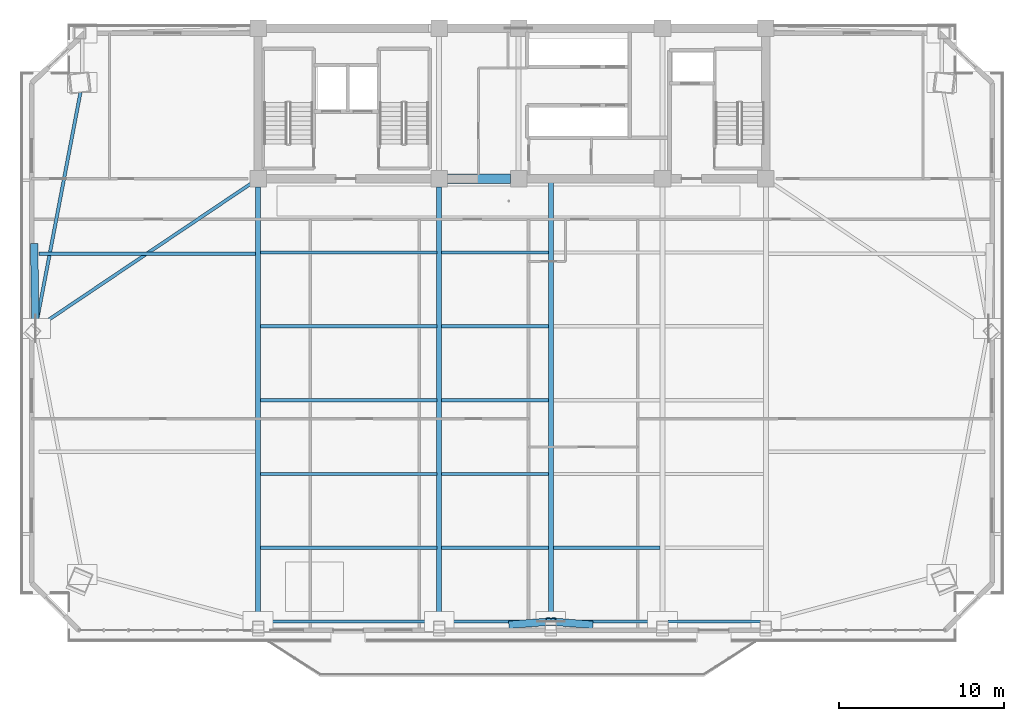
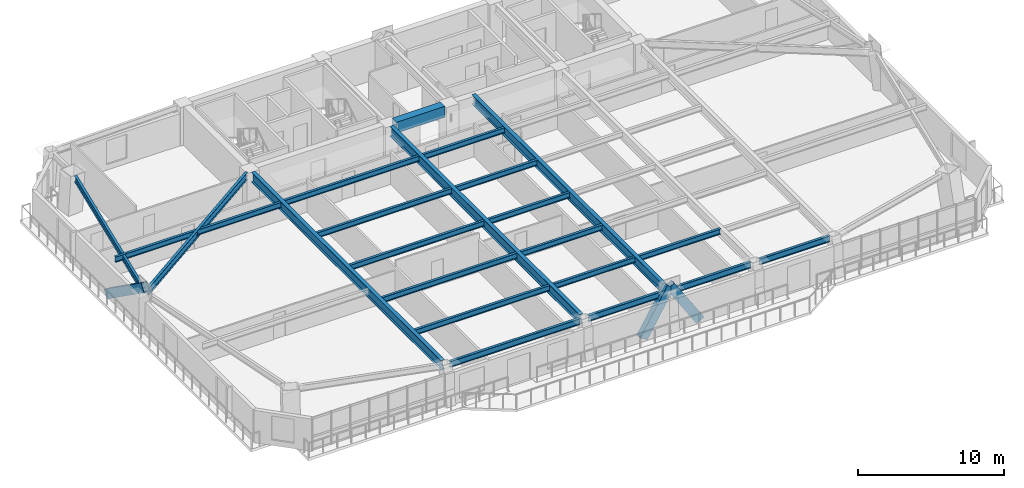
# One storey, part 3 of 15: 22 beams, 3 members.
"""IFC4 building model written with IfcOpenShell, lengths in metres."""

from ifc_helpers import new_model, si_unit, direction, frame, origin, origin_2d, place, context, subcontext, project, spatial, rectangle, hollow_rectangle, i_section, extrude, source, transform, mapped, material, material_profile, profile_set, type_object, element, save


model = new_model("IFC4")

# Units and contexts
model_context = context("Model", 3, precision=1e-05, world=origin(), true_north=direction((0.0, 1.0)))
body_context = subcontext(model_context, "Body", "Model", "MODEL_VIEW")
ifc_project = project(units=[si_unit("LENGTHUNIT", "METRE"), si_unit("AREAUNIT", "SQUARE_METRE"), si_unit("VOLUMEUNIT", "CUBIC_METRE"), si_unit("PLANEANGLEUNIT", "RADIAN"), si_unit("MASSUNIT", "GRAM", prefix="KILO")], contexts=[model_context])

# Site, building, storey
site_placement = place(None, origin())
site = spatial("IfcSite", under=ifc_project, at=site_placement, CompositionType="ELEMENT")
building_placement = place(site_placement, origin())
building = spatial("IfcBuilding", under=site, at=building_placement, Name="Giltprow Tower", CompositionType="ELEMENT")
storey_placement = place(building_placement, frame((0.0, 0.0, 187.699951171875)))
storey = spatial("IfcBuildingStorey", under=building, at=storey_placement, Name="L47", CompositionType="ELEMENT", Elevation=187.699951171875)

# Beams
ifc_material_1 = material(Name="Structural steel Q355B", Category="steel")
ifc_material_profile_1 = material_profile(ifc_material_1, i_section(OverallWidth=0.199951171875, OverallDepth=0.449951171875, WebThickness=0.009033203125, FlangeThickness=0.013916015625, at=origin_2d()), Name="HN 450x200x9x14")
ifc_profile_set_1 = profile_set([ifc_material_profile_1], Name="Structural steel Q355B")
beam_type_1 = type_object("IfcBeamType", Name="BM-JOIST-HN450", PredefinedType="JOIST", material=ifc_profile_set_1)
shared_shape_1 = source(origin(), body_context, "Body", "SweptSolid", [
    extrude(i_section(OverallWidth=0.199951171875, OverallDepth=0.449951171875, WebThickness=0.009033203125, FlangeThickness=0.013916015625, at=origin_2d()), origin(), (0.0, 0.0, 1.0), 10.659912109375),
])
for number, where, z_axis, x_axis, name in (
    (1, (19.9951171875, 15.14208984375, 2.9951171875), (1.0, 0.0, 0.0), (0.0, 1.0, 0.0), "L47 Composite Floor Joist 1-1"),
    (2, (19.9951171875, 19.60302734375, 2.9951171875), (1.0, 0.0, 0.0), (0.0, 1.0, 0.0), "L47 Composite Floor Joist 2-1"),
    (3, (19.9951171875, 24.06494140625, 2.9951171875), (1.0, 0.0, 0.0), (0.0, 1.0, 0.0), "L47 Composite Floor Joist 3-1"),
    (4, (19.9951171875, 28.527099609375, 2.9951171875), (1.0, 0.0, 0.0), (0.0, 1.0, 0.0), "L47 Composite Floor Joist 4-1"),
    (5, (19.9951171875, 32.988037109375, 2.9951171875), (1.0, 0.0, 0.0), (0.0, 1.0, 0.0), "L47 Composite Floor Joist 5-1"),
):
    element("IfcBeam", number, at=place(storey_placement, frame(where, z_axis=z_axis, x_axis=x_axis)), inside=storey, type_object=beam_type_1, Name=name, PredefinedType="JOIST", context=body_context, shape_type="MappedRepresentation", body=[
        mapped(shared_shape_1, transform((0.0, 0.0, 0.0), x_axis=(1.0, 0.0, 0.0), y_axis=(0.0, 1.0, 0.0), z_axis=(0.0, 0.0, 1.0), scale=1.0)),
    ])
shared_shape_2 = source(origin(), body_context, "Body", "SweptSolid", [
    extrude(i_section(OverallWidth=0.199951171875, OverallDepth=0.449951171875, WebThickness=0.009033203125, FlangeThickness=0.013916015625, at=origin_2d()), origin(), (0.0, 0.0, 1.0), 6.4599609375),
])
for number, where, z_axis, x_axis, name in (
    (6, (30.945068359375, 15.14208984375, 2.9951171875), (1.0, 0.0, 0.0), (0.0, 1.0, 0.0), "L47 Composite Floor Joist 1-2"),
    (7, (37.695068359375, 15.14208984375, 2.9951171875), (1.0, 0.0, 0.0), (0.0, 1.0, 0.0), "L47 Composite Floor Joist 1-3"),
    (8, (30.945068359375, 19.60302734375, 2.9951171875), (1.0, 0.0, 0.0), (0.0, 1.0, 0.0), "L47 Composite Floor Joist 2-2"),
    (9, (30.945068359375, 24.06494140625, 2.9951171875), (1.0, 0.0, 0.0), (0.0, 1.0, 0.0), "L47 Composite Floor Joist 3-2"),
    (10, (30.945068359375, 28.527099609375, 2.9951171875), (1.0, 0.0, 0.0), (0.0, 1.0, 0.0), "L47 Composite Floor Joist 4-2"),
    (11, (30.945068359375, 32.988037109375, 2.9951171875), (1.0, 0.0, 0.0), (0.0, 1.0, 0.0), "L47 Composite Floor Joist 5-2"),
):
    element("IfcBeam", number, at=place(storey_placement, frame(where, z_axis=z_axis, x_axis=x_axis)), inside=storey, type_object=beam_type_1, Name=name, PredefinedType="JOIST", context=body_context, shape_type="MappedRepresentation", body=[
        mapped(shared_shape_2, transform((0.0, 0.0, 0.0), x_axis=(1.0, 0.0, 0.0), y_axis=(0.0, 1.0, 0.0), z_axis=(0.0, 0.0, 1.0), scale=1.0)),
    ])
ifc_material_2 = material(Name="Concrete C50", Category="concrete")
ifc_material_profile_2 = material_profile(ifc_material_2, rectangle(XDim=0.60009765625, YDim=0.89990234375, at=origin_2d()), Name="RC 900x600")
ifc_profile_set_2 = profile_set([ifc_material_profile_2], Name="Concrete C50")
beam_type_2 = type_object("IfcBeamType", Name="BM-CPL-RC900", PredefinedType="LINTEL", material=ifc_profile_set_2)
shared_shape_3 = source(origin(), body_context, "Body", "SweptSolid", [
    extrude(rectangle(XDim=0.60009765625, YDim=0.89990234375, at=origin_2d()), origin(), (0.0, 0.0, 1.0), 3.830078125),
])
beam_1_placement = place(storey_placement, frame((31.284912109375, 37.449951171875, 2.77001953125), z_axis=(1.0, 0.0, 0.0), x_axis=(0.0, 1.0, 0.0)))
element("IfcBeam", 12, at=beam_1_placement, inside=storey, type_object=beam_type_2, Name="L47 Core Coupling Beam CB-1", PredefinedType="LINTEL", context=body_context, shape_type="MappedRepresentation", body=[
    mapped(shared_shape_3, transform((0.0, 0.0, 0.0), x_axis=(1.0, 0.0, 0.0), y_axis=(0.0, 1.0, 0.0), z_axis=(0.0, 0.0, 1.0), scale=1.0)),
])
ifc_material_profile_3 = material_profile(ifc_material_1, i_section(OverallWidth=0.199951171875, OverallDepth=0.5, WebThickness=0.010009765625, FlangeThickness=0.01611328125, at=origin_2d()), Name="HN 500x200x10x16")
ifc_profile_set_3 = profile_set([ifc_material_profile_3], Name="Structural steel Q355B")
beam_type_3 = type_object("IfcBeamType", Name="BM-SPAN-HN500", PredefinedType="SPANDREL", material=ifc_profile_set_3)
shared_shape_4 = source(origin(), body_context, "Body", "SweptSolid", [
    extrude(i_section(OverallWidth=0.199951171875, OverallDepth=0.5, WebThickness=0.010009765625, FlangeThickness=0.01611328125, at=origin_2d()), origin(), (0.0, 0.0, 1.0), 10.280029296875),
])
beam_2_placement = place(storey_placement, frame((20.18505859375, 10.679931640625, 2.969970703125), z_axis=(1.0, 0.0, 0.0), x_axis=(0.0, 1.0, 0.0)))
element("IfcBeam", 13, at=beam_2_placement, inside=storey, type_object=beam_type_3, Name="L47 Perimeter Spandrel Beam S1-S2", PredefinedType="SPANDREL", context=body_context, shape_type="MappedRepresentation", body=[
    mapped(shared_shape_4, transform((0.0, 0.0, 0.0), x_axis=(1.0, 0.0, 0.0), y_axis=(0.0, 1.0, 0.0), z_axis=(0.0, 0.0, 1.0), scale=1.0)),
])
shared_shape_5 = source(origin(), body_context, "Body", "SweptSolid", [
    extrude(i_section(OverallWidth=0.199951171875, OverallDepth=0.5, WebThickness=0.010009765625, FlangeThickness=0.01611328125, at=origin_2d()), origin(), (0.0, 0.0, 1.0), 6.080078125),
])
for number, where, z_axis, x_axis, name in (
    (14, (31.135009765625, 10.679931640625, 2.969970703125), (1.0, 0.0, 0.0), (0.0, 1.0, 0.0), "L47 Perimeter Spandrel Beam S2-S_MID"),
    (15, (37.885009765625, 10.679931640625, 2.969970703125), (1.0, 0.0, 0.0), (0.0, 1.0, 0.0), "L47 Perimeter Spandrel Beam S_MID-S3"),
):
    element("IfcBeam", number, at=place(storey_placement, frame(where, z_axis=z_axis, x_axis=x_axis)), inside=storey, type_object=beam_type_3, Name=name, PredefinedType="SPANDREL", context=body_context, shape_type="MappedRepresentation", body=[
        mapped(shared_shape_5, transform((0.0, 0.0, 0.0), x_axis=(1.0, 0.0, 0.0), y_axis=(0.0, 1.0, 0.0), z_axis=(0.0, 0.0, 1.0), scale=1.0)),
    ])
shared_shape_6 = source(origin(), body_context, "Body", "SweptSolid", [
    extrude(i_section(OverallWidth=0.199951171875, OverallDepth=0.5, WebThickness=0.010009765625, FlangeThickness=0.01611328125, at=origin_2d()), origin(), (0.0, 0.0, 1.0), 5.580078125),
])
beam_3_placement = place(storey_placement, frame((44.635009765625, 10.679931640625, 2.969970703125), z_axis=(1.0, 0.0, 0.0), x_axis=(0.0, 1.0, 0.0)))
element("IfcBeam", 16, at=beam_3_placement, inside=storey, type_object=beam_type_3, Name="L47 Perimeter Spandrel Beam S3-S4", PredefinedType="SPANDREL", context=body_context, shape_type="MappedRepresentation", body=[
    mapped(shared_shape_6, transform((0.0, 0.0, 0.0), x_axis=(1.0, 0.0, 0.0), y_axis=(0.0, 1.0, 0.0), z_axis=(0.0, 0.0, 1.0), scale=1.0)),
])
shared_shape_7 = source(origin(), body_context, "Body", "SweptSolid", [
    extrude(i_section(OverallWidth=0.199951171875, OverallDepth=0.5, WebThickness=0.010009765625, FlangeThickness=0.01611328125, at=origin_2d()), origin(), (0.0, 0.0, 1.0), 14.222412109375),
])
beam_4_placement = place(storey_placement, frame((9.114013671875, 42.68994140625, 2.969970703125), z_axis=(-0.187178367581, -0.982325943213, 0.0), x_axis=(0.982325943213, -0.187178367581, 0.0)))
element("IfcBeam", 17, at=beam_4_placement, inside=storey, type_object=beam_type_3, Name="L47 Perimeter Spandrel Beam MC_NW-W_MID", PredefinedType="SPANDREL", context=body_context, shape_type="MappedRepresentation", body=[
    mapped(shared_shape_7, transform((0.0, 0.0, 0.0), x_axis=(1.0, 0.0, 0.0), y_axis=(0.0, 1.0, 0.0), z_axis=(0.0, 0.0, 1.0), scale=1.0)),
])
ifc_material_profile_4 = material_profile(ifc_material_1, i_section(OverallWidth=0.300048828125, OverallDepth=0.800048828125, WebThickness=0.013916015625, FlangeThickness=0.02587890625, at=origin_2d()), Name="HN 800x300x14x26")
ifc_profile_set_4 = profile_set([ifc_material_profile_4], Name="Structural steel Q355B")
beam_type_4 = type_object("IfcBeamType", Name="BM-GIRD-HN800", PredefinedType="BEAM", material=ifc_profile_set_4)
shared_shape_8 = source(origin(), body_context, "Body", "SweptSolid", [
    extrude(i_section(OverallWidth=0.300048828125, OverallDepth=0.800048828125, WebThickness=0.013916015625, FlangeThickness=0.02587890625, at=origin_2d()), origin(), (0.0, 0.0, 1.0), 25.9501953125),
])
for number, where, z_axis, x_axis, name in (
    (18, (19.85009765625, 11.014892578125, 2.820068359375), (0.0, 1.0, 0.0), (-1.0, 0.0, 0.0), "L47 Primary Lease Girder S1"),
    (19, (30.800048828125, 11.014892578125, 2.820068359375), (0.0, 1.0, 0.0), (-1.0, 0.0, 0.0), "L47 Primary Lease Girder S2"),
):
    element("IfcBeam", number, at=place(storey_placement, frame(where, z_axis=z_axis, x_axis=x_axis)), inside=storey, type_object=beam_type_4, Name=name, PredefinedType="BEAM", context=body_context, shape_type="MappedRepresentation", body=[
        mapped(shared_shape_8, transform((0.0, 0.0, 0.0), x_axis=(1.0, 0.0, 0.0), y_axis=(0.0, 1.0, 0.0), z_axis=(0.0, 0.0, 1.0), scale=1.0)),
    ])
shared_shape_9 = source(origin(), body_context, "Body", "SweptSolid", [
    extrude(i_section(OverallWidth=0.300048828125, OverallDepth=0.800048828125, WebThickness=0.013916015625, FlangeThickness=0.02587890625, at=origin_2d()), origin(), (0.0, 0.0, 1.0), 26.77001953125),
])
beam_5_placement = place(storey_placement, frame((37.550048828125, 10.679931640625, 2.820068359375), z_axis=(0.0, 1.0, 0.0), x_axis=(-1.0, 0.0, 0.0)))
element("IfcBeam", 20, at=beam_5_placement, inside=storey, type_object=beam_type_4, Name="L47 Central Lease Girder SMID", PredefinedType="BEAM", context=body_context, shape_type="MappedRepresentation", body=[
    mapped(shared_shape_9, transform((0.0, 0.0, 0.0), x_axis=(1.0, 0.0, 0.0), y_axis=(0.0, 1.0, 0.0), z_axis=(0.0, 0.0, 1.0), scale=1.0)),
])
ifc_material_profile_5 = material_profile(ifc_material_1, i_section(OverallWidth=0.199951171875, OverallDepth=0.60009765625, WebThickness=0.010986328125, FlangeThickness=0.01708984375, at=origin_2d()), Name="HN 600x200x11x17")
ifc_profile_set_5 = profile_set([ifc_material_profile_5], Name="Structural steel Q355B")
beam_type_5 = type_object("IfcBeamType", Name="BM-GIRD-HN600", PredefinedType="BEAM", material=ifc_profile_set_5)
shared_shape_10 = source(origin(), body_context, "Body", "SweptSolid", [
    extrude(i_section(OverallWidth=0.199951171875, OverallDepth=0.60009765625, WebThickness=0.010986328125, FlangeThickness=0.01708984375, at=origin_2d()), origin(), (0.0, 0.0, 1.0), 15.40625),
])
beam_6_placement = place(storey_placement, frame((6.6669921875, 28.576904296875, 2.920166015625), z_axis=(0.829604263751, 0.558351829554, 0.0), x_axis=(-0.558351829554, 0.829604263751, 0.0)))
element("IfcBeam", 21, at=beam_6_placement, inside=storey, type_object=beam_type_5, Name="L47 West Wing Primary Girder", PredefinedType="BEAM", context=body_context, shape_type="MappedRepresentation", body=[
    mapped(shared_shape_10, transform((0.0, 0.0, 0.0), x_axis=(1.0, 0.0, 0.0), y_axis=(0.0, 1.0, 0.0), z_axis=(0.0, 0.0, 1.0), scale=1.0)),
])
shared_shape_11 = source(origin(), body_context, "Body", "SweptSolid", [
    extrude(i_section(OverallWidth=0.199951171875, OverallDepth=0.449951171875, WebThickness=0.009033203125, FlangeThickness=0.013916015625, at=origin_2d()), origin(), (0.0, 0.0, 1.0), 13.09619140625),
])
beam_7_placement = place(storey_placement, frame((6.60888671875, 32.919921875, 2.9951171875), z_axis=(1.0, 0.0, 0.0), x_axis=(0.0, 1.0, 0.0)))
element("IfcBeam", 22, at=beam_7_placement, inside=storey, type_object=beam_type_1, Name="L47 West Wing Floor Joist 2", PredefinedType="JOIST", context=body_context, shape_type="MappedRepresentation", body=[
    mapped(shared_shape_11, transform((0.0, 0.0, 0.0), x_axis=(1.0, 0.0, 0.0), y_axis=(0.0, 1.0, 0.0), z_axis=(0.0, 0.0, 1.0), scale=1.0)),
])

# Members
ifc_material_3 = material(Name="Structural steel Q420GJC", Category="steel")
ifc_material_profile_6 = material_profile(ifc_material_3, hollow_rectangle(XDim=0.449951171875, YDim=0.699951171875, WallThickness=0.031982421875, at=origin_2d()), Name="RHS 700x450x32")
ifc_profile_set_6 = profile_set([ifc_material_profile_6], Name="Structural steel Q420GJC")
member_type = type_object("IfcMemberType", Name="MBR-MEGA-RHS700", PredefinedType="BRACE", material=ifc_profile_set_6)
shared_shape_12 = source(origin(), body_context, "Body", "SweptSolid", [
    extrude(hollow_rectangle(XDim=0.449951171875, YDim=0.699951171875, WallThickness=0.031982421875, at=origin_2d()), origin(), (0.0, 0.0, 1.0), 4.16455078125),
])
for number, where, z_axis, x_axis, name in (
    (23, (35.300048828125, 10.5048828125, 0.0), (0.540279671298, 0.042033477031, 0.840435044242), (-0.077565091902, 0.996987290049, 0.0), "L47 Chevron Mega-Brace S-L"),
    (24, (39.800048828125, 10.5048828125, 0.0), (-0.540279671298, 0.042033477031, 0.840435044242), (-0.077565091902, -0.996987290049, 0.0), "L47 Chevron Mega-Brace S-R"),
):
    element("IfcMember", number, at=place(storey_placement, frame(where, z_axis=z_axis, x_axis=x_axis)), inside=storey, type_object=member_type, Name=name, PredefinedType="BRACE", context=body_context, shape_type="MappedRepresentation", body=[
        mapped(shared_shape_12, transform((0.0, 0.0, 0.0), x_axis=(1.0, 0.0, 0.0), y_axis=(0.0, 1.0, 0.0), z_axis=(0.0, 0.0, 1.0), scale=1.0)),
    ])
shared_shape_13 = source(origin(), body_context, "Body", "SweptSolid", [
    extrude(hollow_rectangle(XDim=0.449951171875, YDim=0.699951171875, WallThickness=0.031982421875, at=origin_2d()), origin(), (0.0, 0.0, 1.0), 6.06298828125),
])
member_placement = place(storey_placement, frame((6.31103515625, 33.340087890625, 0.0), z_axis=(0.012845175306, -0.816453838567, 0.577267815629), x_axis=(0.999876261117, 0.015730939401, 0.0)))
element("IfcMember", 25, at=member_placement, inside=storey, type_object=member_type, Name="L47 Chevron Mega-Brace W-R", PredefinedType="BRACE", context=body_context, shape_type="MappedRepresentation", body=[
    mapped(shared_shape_13, transform((0.0, 0.0, 0.0), x_axis=(1.0, 0.0, 0.0), y_axis=(0.0, 1.0, 0.0), z_axis=(0.0, 0.0, 1.0), scale=1.0)),
])

save(model, "model.ifc")
